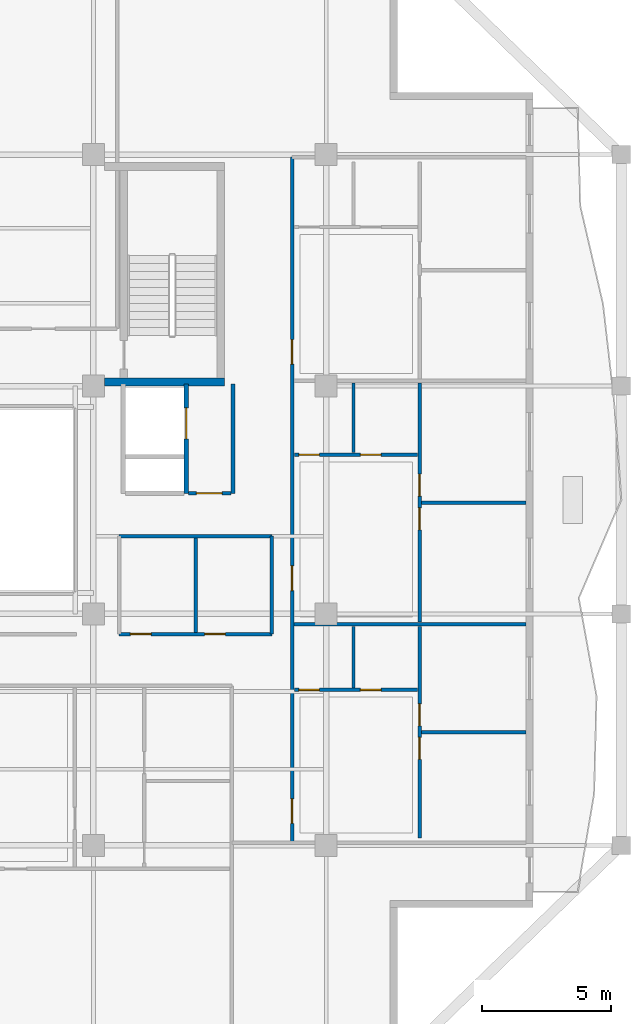
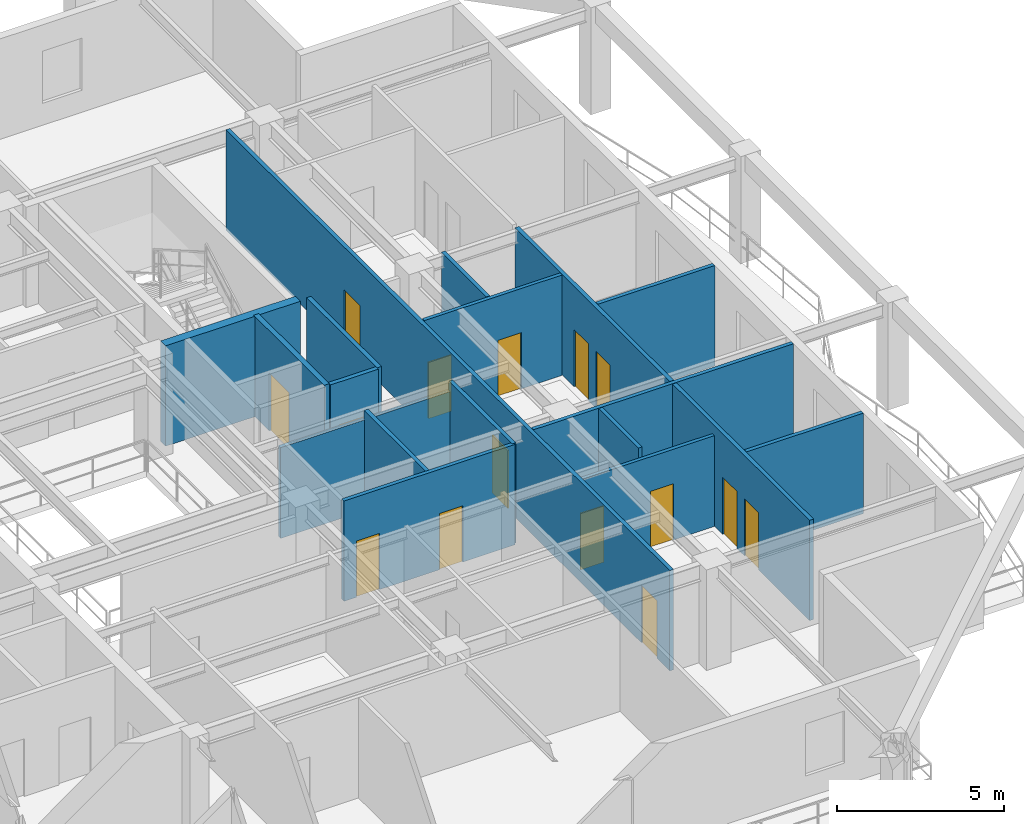
# One storey, part 5 of 13: 18 walls, 15 doors, 15 openings.
"""IFC4 building model written with IfcOpenShell, lengths in metres."""

from ifc_helpers import new_model, si_unit, direction, frame, frame_2d, origin, place, context, subcontext, project, spatial, rectangle, extrude, material, layer, layer_set, type_object, element, fill, save


model = new_model("IFC4")

# Units and contexts
model_context = context("Model", 3, precision=1e-05, world=origin(), true_north=direction((0.0, 1.0)))
body_context = subcontext(model_context, "Body", "Model", "MODEL_VIEW")
ifc_project = project(units=[si_unit("LENGTHUNIT", "METRE"), si_unit("AREAUNIT", "SQUARE_METRE"), si_unit("VOLUMEUNIT", "CUBIC_METRE"), si_unit("PLANEANGLEUNIT", "RADIAN"), si_unit("MASSUNIT", "GRAM", prefix="KILO")], contexts=[model_context])

# Site, building, storey
site_placement = place(None, origin())
site = spatial("IfcSite", under=ifc_project, at=site_placement, CompositionType="ELEMENT")
building_placement = place(site_placement, origin())
building = spatial("IfcBuilding", under=site, at=building_placement, Name="Kundavana Baori Tower", CompositionType="ELEMENT")
storey_placement = place(building_placement, frame((0.0, 0.0, 229.699951171875)))
storey = spatial("IfcBuildingStorey", under=building, at=storey_placement, Name="L56", CompositionType="ELEMENT", Elevation=229.699951171875)

# Wall, openings, doors
ifc_material_1 = material(Name="Acoustic Gypsum Plasterboard on Galvanised Steel Studs", Category="steel")
ifc_layer_1 = layer(ifc_material_1, 0.135009765625, Name="WL-PART-135")
ifc_layer_set_1 = layer_set([ifc_layer_1], Name="Acoustic Gypsum Plasterboard on Galvanised Steel Studs")
wall_type_1 = type_object("IfcWallType", Name="WL-PART-135", PredefinedType="PARTITIONING", material=ifc_layer_set_1)
wall_1_placement = place(storey_placement, frame((41.47998046875, 15.35009765625, 0.0), z_axis=(0.0, 0.0, 1.0), x_axis=(0.0, 1.0, 0.0)))
wall_1 = element("IfcWall", 1, at=wall_1_placement, inside=storey, type_object=wall_type_1, Name="WL-L56-RE", PredefinedType="PARTITIONING", context=body_context, shape_type="SweptSolid", body=[
    extrude(rectangle(XDim=26.5, YDim=0.135009765625, at=frame_2d((13.25, 0.0))), origin(), (0.0, 0.0, 1.0), 3.66015625),
])
opening_1_placement = place(wall_1_placement, frame((0.75, 0.0, 0.0)))
opening_1 = element("IfcOpeningElement", 2, at=opening_1_placement, cuts=wall_1, Name="Opening FD-095", PredefinedType="OPENING", context=body_context, shape_type="SweptSolid", body=[
    extrude(rectangle(XDim=0.949951171875, YDim=2.10009765625, at=frame_2d((0.47509765625, 1.050048828125))), frame((0.0, 0.07763671875, 0.0), z_axis=(0.0, -1.0, 0.0), x_axis=(1.0, 0.0, 0.0)), (0.0, 0.0, 1.0), 0.155029296875),
])
opening_2_placement = place(wall_1_placement, frame((9.75, 0.0, 0.0)))
opening_2 = element("IfcOpeningElement", 3, at=opening_2_placement, cuts=wall_1, Name="Opening FD-095", PredefinedType="OPENING", context=body_context, shape_type="SweptSolid", body=[
    extrude(rectangle(XDim=0.949951171875, YDim=2.10009765625, at=frame_2d((0.47509765625, 1.050048828125))), frame((0.0, 0.07763671875, 0.0), z_axis=(0.0, -1.0, 0.0), x_axis=(1.0, 0.0, 0.0)), (0.0, 0.0, 1.0), 0.155029296875),
])
opening_3_placement = place(wall_1_placement, frame((18.5, 0.0, 0.0)))
opening_3 = element("IfcOpeningElement", 4, at=opening_3_placement, cuts=wall_1, Name="Opening FD-095", PredefinedType="OPENING", context=body_context, shape_type="SweptSolid", body=[
    extrude(rectangle(XDim=0.949951171875, YDim=2.10009765625, at=frame_2d((0.47509765625, 1.050048828125))), frame((0.0, 0.07763671875, 0.0), z_axis=(0.0, -1.0, 0.0), x_axis=(1.0, 0.0, 0.0)), (0.0, 0.0, 1.0), 0.155029296875),
])
ifc_material_2 = material(Name="Engineered Teak Fire-Rated Timber Door Leaf", Category="wood")
door_type_1 = type_object("IfcDoorType", Name="DR-FD60-950", OperationType="NOTDEFINED", PredefinedType="DOOR", material=ifc_material_2)
door_1_placement = place(opening_1_placement, origin())
door_1 = element("IfcDoor", 5, at=door_1_placement, inside=storey, type_object=door_type_1, Name="DR-L56-E1-ENT", OperationType="SINGLE_SWING_LEFT", OverallHeight=2.10009765625, OverallWidth=0.949951171875, PredefinedType="DOOR", context=body_context, shape_type="SweptSolid", body=[
    extrude(rectangle(XDim=0.949951171875, YDim=2.10009765625, at=frame_2d((0.47509765625, 1.050048828125))), frame((0.0, 0.02490234375, 0.0), z_axis=(0.0, -1.0, 0.0), x_axis=(1.0, 0.0, 0.0)), (0.0, 0.0, 1.0), 0.050048828125),
])
fill(opening_1, door_1)
door_2_placement = place(opening_2_placement, origin())
door_2 = element("IfcDoor", 6, at=door_2_placement, inside=storey, type_object=door_type_1, Name="DR-L56-E2-ENT", OperationType="SINGLE_SWING_LEFT", OverallHeight=2.10009765625, OverallWidth=0.949951171875, PredefinedType="DOOR", context=body_context, shape_type="SweptSolid", body=[
    extrude(rectangle(XDim=0.949951171875, YDim=2.10009765625, at=frame_2d((0.47509765625, 1.050048828125))), frame((0.0, 0.02490234375, 0.0), z_axis=(0.0, -1.0, 0.0), x_axis=(1.0, 0.0, 0.0)), (0.0, 0.0, 1.0), 0.050048828125),
])
fill(opening_2, door_2)
door_3_placement = place(opening_3_placement, origin())
door_3 = element("IfcDoor", 7, at=door_3_placement, inside=storey, type_object=door_type_1, Name="DR-L56-E3-ENT", OperationType="SINGLE_SWING_LEFT", OverallHeight=2.10009765625, OverallWidth=0.949951171875, PredefinedType="DOOR", context=body_context, shape_type="SweptSolid", body=[
    extrude(rectangle(XDim=0.949951171875, YDim=2.10009765625, at=frame_2d((0.47509765625, 1.050048828125))), frame((0.0, 0.02490234375, 0.0), z_axis=(0.0, -1.0, 0.0), x_axis=(1.0, 0.0, 0.0)), (0.0, 0.0, 1.0), 0.050048828125),
])
fill(opening_3, door_3)

wall_2_placement = place(storey_placement, frame((46.407958984375, 15.530029296875, 0.0), z_axis=(0.0, 0.0, 1.0), x_axis=(0.0, 1.0, 0.0)))
wall_2 = element("IfcWall", 8, at=wall_2_placement, inside=storey, type_object=wall_type_1, Name="WL-L56-E1-VT", PredefinedType="PARTITIONING", context=body_context, shape_type="SweptSolid", body=[
    extrude(rectangle(XDim=8.18994140625, YDim=0.135009765625, at=frame_2d((4.094970703125, 0.0))), origin(), (0.0, 0.0, 1.0), 3.66015625),
])
opening_4_placement = place(wall_2_placement, frame((3.044921875, 0.0, 0.0)))
opening_4 = element("IfcOpeningElement", 9, at=opening_4_placement, cuts=wall_2, Name="Opening ID-085", PredefinedType="OPENING", context=body_context, shape_type="SweptSolid", body=[
    extrude(rectangle(XDim=0.85009765625, YDim=2.080078125, at=frame_2d((0.425048828125, 1.0400390625))), frame((0.0, 0.07763671875, 0.0), z_axis=(0.0, -1.0, 0.0), x_axis=(1.0, 0.0, 0.0)), (0.0, 0.0, 1.0), 0.155029296875),
])
opening_5_placement = place(wall_2_placement, frame((4.344970703125, 0.0, 0.0)))
opening_5 = element("IfcOpeningElement", 10, at=opening_5_placement, cuts=wall_2, Name="Opening ID-085", PredefinedType="OPENING", context=body_context, shape_type="SweptSolid", body=[
    extrude(rectangle(XDim=0.85009765625, YDim=2.080078125, at=frame_2d((0.425048828125, 1.0400390625))), frame((0.0, 0.07763671875, 0.0), z_axis=(0.0, -1.0, 0.0), x_axis=(1.0, 0.0, 0.0)), (0.0, 0.0, 1.0), 0.155029296875),
])
ifc_material_3 = material(Name="Engineered Teak Solid-Core Timber Veneer", Category="wood")
door_type_2 = type_object("IfcDoorType", Name="DR-INT-850", OperationType="NOTDEFINED", PredefinedType="DOOR", material=ifc_material_3)
door_4_placement = place(opening_4_placement, origin())
door_4 = element("IfcDoor", 11, at=door_4_placement, inside=storey, type_object=door_type_2, Name="DR-L56-E1-B1", OperationType="SINGLE_SWING_LEFT", OverallHeight=2.080078125, OverallWidth=0.85009765625, PredefinedType="DOOR", context=body_context, shape_type="SweptSolid", body=[
    extrude(rectangle(XDim=0.85009765625, YDim=2.080078125, at=frame_2d((0.425048828125, 1.0400390625))), frame((0.0, 0.02490234375, 0.0), z_axis=(0.0, -1.0, 0.0), x_axis=(1.0, 0.0, 0.0)), (0.0, 0.0, 1.0), 0.050048828125),
])
fill(opening_4, door_4)
door_5_placement = place(opening_5_placement, origin())
door_5 = element("IfcDoor", 12, at=door_5_placement, inside=storey, type_object=door_type_2, Name="DR-L56-E1-B2", OperationType="SINGLE_SWING_RIGHT", OverallHeight=2.080078125, OverallWidth=0.85009765625, PredefinedType="DOOR", context=body_context, shape_type="SweptSolid", body=[
    extrude(rectangle(XDim=0.85009765625, YDim=2.080078125, at=frame_2d((0.425048828125, 1.0400390625))), frame((0.0, 0.02490234375, 0.0), z_axis=(0.0, -1.0, 0.0), x_axis=(1.0, 0.0, 0.0)), (0.0, 0.0, 1.0), 0.050048828125),
])
fill(opening_5, door_5)

# Walls
wall_3_placement = place(storey_placement, frame((46.488037109375, 19.625, 0.0), z_axis=(0.0, 0.0, 1.0), x_axis=(1.0, 0.0, 0.0)))
element("IfcWall", 13, at=wall_3_placement, inside=storey, type_object=wall_type_1, Name="WL-L56-E1-BDH", PredefinedType="PARTITIONING", context=body_context, shape_type="SweptSolid", body=[
    extrude(rectangle(XDim=4.031982421875, YDim=0.135009765625, at=frame_2d((2.01611328125, 0.0))), origin(), (0.0, 0.0, 1.0), 3.66015625),
])
wall_4_placement = place(storey_placement, frame((41.56005859375, 23.800048828125, 0.0), z_axis=(0.0, 0.0, 1.0), x_axis=(1.0, 0.0, 0.0)))
element("IfcWall", 14, at=wall_4_placement, inside=storey, type_object=wall_type_1, Name="WL-L56-RED1", PredefinedType="PARTITIONING", context=body_context, shape_type="SweptSolid", body=[
    extrude(rectangle(XDim=8.9599609375, YDim=0.135009765625, at=frame_2d((4.47998046875, 0.0))), origin(), (0.0, 0.0, 1.0), 3.66015625),
])

# Wall, openings, doors
wall_5_placement = place(storey_placement, frame((46.407958984375, 23.8798828125, 0.0), z_axis=(0.0, 0.0, 1.0), x_axis=(0.0, 1.0, 0.0)))
wall_5 = element("IfcWall", 15, at=wall_5_placement, inside=storey, type_object=wall_type_1, Name="WL-L56-E2-VT", PredefinedType="PARTITIONING", context=body_context, shape_type="SweptSolid", body=[
    extrude(rectangle(XDim=9.240234375, YDim=0.135009765625, at=frame_2d((4.6201171875, 0.0))), origin(), (0.0, 0.0, 1.0), 3.66015625),
])
opening_6_placement = place(wall_5_placement, frame((3.570068359375, 0.0, 0.0)))
opening_6 = element("IfcOpeningElement", 16, at=opening_6_placement, cuts=wall_5, Name="Opening ID-085", PredefinedType="OPENING", context=body_context, shape_type="SweptSolid", body=[
    extrude(rectangle(XDim=0.85009765625, YDim=2.080078125, at=frame_2d((0.425048828125, 1.0400390625))), frame((0.0, 0.07763671875, 0.0), z_axis=(0.0, -1.0, 0.0), x_axis=(1.0, 0.0, 0.0)), (0.0, 0.0, 1.0), 0.155029296875),
])
opening_7_placement = place(wall_5_placement, frame((4.8701171875, 0.0, 0.0)))
opening_7 = element("IfcOpeningElement", 17, at=opening_7_placement, cuts=wall_5, Name="Opening ID-085", PredefinedType="OPENING", context=body_context, shape_type="SweptSolid", body=[
    extrude(rectangle(XDim=0.85009765625, YDim=2.080078125, at=frame_2d((0.425048828125, 1.0400390625))), frame((0.0, 0.07763671875, 0.0), z_axis=(0.0, -1.0, 0.0), x_axis=(1.0, 0.0, 0.0)), (0.0, 0.0, 1.0), 0.155029296875),
])
door_6_placement = place(opening_6_placement, origin())
door_6 = element("IfcDoor", 18, at=door_6_placement, inside=storey, type_object=door_type_2, Name="DR-L56-E2-B1", OperationType="SINGLE_SWING_LEFT", OverallHeight=2.080078125, OverallWidth=0.85009765625, PredefinedType="DOOR", context=body_context, shape_type="SweptSolid", body=[
    extrude(rectangle(XDim=0.85009765625, YDim=2.080078125, at=frame_2d((0.425048828125, 1.0400390625))), frame((0.0, 0.02490234375, 0.0), z_axis=(0.0, -1.0, 0.0), x_axis=(1.0, 0.0, 0.0)), (0.0, 0.0, 1.0), 0.050048828125),
])
fill(opening_6, door_6)
door_7_placement = place(opening_7_placement, origin())
door_7 = element("IfcDoor", 19, at=door_7_placement, inside=storey, type_object=door_type_2, Name="DR-L56-E2-B2", OperationType="SINGLE_SWING_RIGHT", OverallHeight=2.080078125, OverallWidth=0.85009765625, PredefinedType="DOOR", context=body_context, shape_type="SweptSolid", body=[
    extrude(rectangle(XDim=0.85009765625, YDim=2.080078125, at=frame_2d((0.425048828125, 1.0400390625))), frame((0.0, 0.02490234375, 0.0), z_axis=(0.0, -1.0, 0.0), x_axis=(1.0, 0.0, 0.0)), (0.0, 0.0, 1.0), 0.050048828125),
])
fill(opening_7, door_7)

# Wall
wall_6_placement = place(storey_placement, frame((46.488037109375, 28.5, 0.0), z_axis=(0.0, 0.0, 1.0), x_axis=(1.0, 0.0, 0.0)))
element("IfcWall", 20, at=wall_6_placement, inside=storey, type_object=wall_type_1, Name="WL-L56-E2-BDH", PredefinedType="PARTITIONING", context=body_context, shape_type="SweptSolid", body=[
    extrude(rectangle(XDim=4.031982421875, YDim=0.135009765625, at=frame_2d((2.01611328125, 0.0))), origin(), (0.0, 0.0, 1.0), 3.66015625),
])

# Wall, openings, doors
wall_7_placement = place(storey_placement, frame((34.800048828125, 23.419921875, 0.0), z_axis=(0.0, 0.0, 1.0), x_axis=(1.0, 0.0, 0.0)))
wall_7 = element("IfcWall", 21, at=wall_7_placement, inside=storey, type_object=wall_type_1, Name="WL-L56-ALS", PredefinedType="PARTITIONING", context=body_context, shape_type="SweptSolid", body=[
    extrude(rectangle(XDim=5.89990234375, YDim=0.135009765625, at=frame_2d((2.949951171875, 0.0))), origin(), (0.0, 0.0, 1.0), 3.66015625),
])
opening_8_placement = place(wall_7_placement, frame((0.429931640625, 0.0, 0.0)))
opening_8 = element("IfcOpeningElement", 22, at=opening_8_placement, cuts=wall_7, Name="Opening WD-080", PredefinedType="OPENING", context=body_context, shape_type="SweptSolid", body=[
    extrude(rectangle(XDim=0.800048828125, YDim=2.050048828125, at=frame_2d((0.39990234375, 1.02490234375))), frame((0.0, 0.07763671875, 0.0), z_axis=(0.0, -1.0, 0.0), x_axis=(1.0, 0.0, 0.0)), (0.0, 0.0, 1.0), 0.155029296875),
])
opening_9_placement = place(wall_7_placement, frame((3.300048828125, 0.0, 0.0)))
opening_9 = element("IfcOpeningElement", 23, at=opening_9_placement, cuts=wall_7, Name="Opening WD-080", PredefinedType="OPENING", context=body_context, shape_type="SweptSolid", body=[
    extrude(rectangle(XDim=0.800048828125, YDim=2.050048828125, at=frame_2d((0.39990234375, 1.02490234375))), frame((0.0, 0.07763671875, 0.0), z_axis=(0.0, -1.0, 0.0), x_axis=(1.0, 0.0, 0.0)), (0.0, 0.0, 1.0), 0.155029296875),
])
ifc_material_4 = material(Name="Engineered Teak Solid-Core Timber Veneer", Category="wood")
door_type_3 = type_object("IfcDoorType", Name="DR-WET-800", OperationType="NOTDEFINED", PredefinedType="DOOR", material=ifc_material_4)
door_8_placement = place(opening_8_placement, origin())
door_8 = element("IfcDoor", 24, at=door_8_placement, inside=storey, type_object=door_type_3, Name="DR-L56-RALC1", OperationType="SINGLE_SWING_LEFT", OverallHeight=2.050048828125, OverallWidth=0.800048828125, PredefinedType="DOOR", context=body_context, shape_type="SweptSolid", body=[
    extrude(rectangle(XDim=0.800048828125, YDim=2.050048828125, at=frame_2d((0.39990234375, 1.02490234375))), frame((0.0, 0.02490234375, 0.0), z_axis=(0.0, -1.0, 0.0), x_axis=(1.0, 0.0, 0.0)), (0.0, 0.0, 1.0), 0.050048828125),
])
fill(opening_8, door_8)
door_9_placement = place(opening_9_placement, origin())
door_9 = element("IfcDoor", 25, at=door_9_placement, inside=storey, type_object=door_type_3, Name="DR-L56-RALC2", OperationType="SINGLE_SWING_LEFT", OverallHeight=2.050048828125, OverallWidth=0.800048828125, PredefinedType="DOOR", context=body_context, shape_type="SweptSolid", body=[
    extrude(rectangle(XDim=0.800048828125, YDim=2.050048828125, at=frame_2d((0.39990234375, 1.02490234375))), frame((0.0, 0.02490234375, 0.0), z_axis=(0.0, -1.0, 0.0), x_axis=(1.0, 0.0, 0.0)), (0.0, 0.0, 1.0), 0.050048828125),
])
fill(opening_9, door_9)

# Walls
wall_8_placement = place(storey_placement, frame((34.800048828125, 27.199951171875, 0.0), z_axis=(0.0, 0.0, 1.0), x_axis=(1.0, 0.0, 0.0)))
element("IfcWall", 26, at=wall_8_placement, inside=storey, type_object=wall_type_1, Name="WL-L56-ALN", PredefinedType="PARTITIONING", context=body_context, shape_type="SweptSolid", body=[
    extrude(rectangle(XDim=5.89990234375, YDim=0.135009765625, at=frame_2d((2.949951171875, 0.0))), origin(), (0.0, 0.0, 1.0), 3.31005859375),
])
wall_9_placement = place(storey_placement, frame((40.699951171875, 23.419921875, 0.0), z_axis=(0.0, 0.0, 1.0), x_axis=(0.0, 1.0, 0.0)))
element("IfcWall", 27, at=wall_9_placement, inside=storey, type_object=wall_type_1, Name="WL-L56-ALE", PredefinedType="PARTITIONING", context=body_context, shape_type="SweptSolid", body=[
    extrude(rectangle(XDim=3.780029296875, YDim=0.135009765625, at=frame_2d((1.89013671875, 0.0))), origin(), (0.0, 0.0, 1.0), 3.66015625),
])
wall_10_placement = place(storey_placement, frame((37.75, 23.47998046875, 0.0), z_axis=(0.0, 0.0, 1.0), x_axis=(0.0, 1.0, 0.0)))
element("IfcWall", 28, at=wall_10_placement, inside=storey, type_object=wall_type_1, Name="WL-L56-ALD1", PredefinedType="PARTITIONING", context=body_context, shape_type="SweptSolid", body=[
    extrude(rectangle(XDim=3.659912109375, YDim=0.135009765625, at=frame_2d((1.830078125, 0.0))), origin(), (0.0, 0.0, 1.0), 3.66015625),
])
ifc_material_5 = material(Name="Fire-Rated Gypsum Drywall on Galvanised Steel Studs", Category="steel")
ifc_layer_2 = layer(ifc_material_5, 0.14990234375, Name="WL-PART-150")
ifc_layer_set_2 = layer_set([ifc_layer_2], Name="Fire-Rated Gypsum Drywall on Galvanised Steel Studs")
wall_type_2 = type_object("IfcWallType", Name="WL-PART-150", PredefinedType="PARTITIONING", material=ifc_layer_set_2)
wall_11_placement = place(storey_placement, frame((39.199951171875, 28.860107421875, 0.0), z_axis=(0.0, 0.0, 1.0), x_axis=(0.0, 1.0, 0.0)))
element("IfcWall", 29, at=wall_11_placement, inside=storey, type_object=wall_type_2, Name="WL-L56-SVLOB-E", PredefinedType="PARTITIONING", context=body_context, shape_type="SweptSolid", body=[
    extrude(rectangle(XDim=4.219970703125, YDim=0.14990234375, at=frame_2d((2.10986328125, 0.0))), origin(), (0.0, 0.0, 1.0), 3.66015625),
])

# Wall, opening, door
wall_12_placement = place(storey_placement, frame((37.47998046875, 28.860107421875, 0.0), z_axis=(0.0, 0.0, 1.0), x_axis=(1.0, 0.0, 0.0)))
wall_12 = element("IfcWall", 30, at=wall_12_placement, inside=storey, type_object=wall_type_2, Name="WL-L56-SVLOB-S", PredefinedType="PARTITIONING", context=body_context, shape_type="SweptSolid", body=[
    extrude(rectangle(XDim=1.64013671875, YDim=0.14990234375, at=frame_2d((0.820068359375, 0.0))), origin(), (0.0, 0.0, 1.0), 3.66015625),
])
opening_10_placement = place(wall_12_placement, frame((0.300048828125, 0.0, 0.0)))
opening_10 = element("IfcOpeningElement", 31, at=opening_10_placement, cuts=wall_12, Name="Opening FD-100", PredefinedType="OPENING", context=body_context, shape_type="SweptSolid", body=[
    extrude(rectangle(XDim=1.0, YDim=2.10009765625, at=frame_2d((0.5, 1.050048828125))), frame((0.0, 0.0849609375, 0.0), z_axis=(0.0, -1.0, 0.0), x_axis=(1.0, 0.0, 0.0)), (0.0, 0.0, 1.0), 0.169921875),
])
ifc_material_6 = material(Name="Engineered Teak Fire-Rated Timber Door Leaf", Category="wood")
door_type_4 = type_object("IfcDoorType", Name="DR-FD60-1000", OperationType="NOTDEFINED", PredefinedType="DOOR", material=ifc_material_6)
door_10_placement = place(opening_10_placement, origin())
door_10 = element("IfcDoor", 32, at=door_10_placement, inside=storey, type_object=door_type_4, Name="DR-L56-SVLOB-OUT", OperationType="SINGLE_SWING_LEFT", OverallHeight=2.10009765625, OverallWidth=1.0, PredefinedType="DOOR", context=body_context, shape_type="SweptSolid", body=[
    extrude(rectangle(XDim=1.0, YDim=2.10009765625, at=frame_2d((0.5, 1.050048828125))), frame((0.0, 0.02490234375, 0.0), z_axis=(0.0, -1.0, 0.0), x_axis=(1.0, 0.0, 0.0)), (0.0, 0.0, 1.0), 0.050048828125),
])
fill(opening_10, door_10)

ifc_material_7 = material(Name="Autoclaved Aerated Concrete Blockwork Masonry", Category="masonry")
ifc_layer_3 = layer(ifc_material_7, 0.179931640625, Name="WL-SHAFT-180")
ifc_layer_set_3 = layer_set([ifc_layer_3], Name="Autoclaved Aerated Concrete Blockwork Masonry")
wall_type_3 = type_object("IfcWallType", Name="WL-SHAFT-180", PredefinedType="SOLIDWALL", material=ifc_layer_set_3)
wall_13_placement = place(storey_placement, frame((37.389892578125, 28.860107421875, 0.0), z_axis=(0.0, 0.0, 1.0), x_axis=(0.0, 1.0, 0.0)))
wall_13 = element("IfcWall", 33, at=wall_13_placement, inside=storey, type_object=wall_type_3, Name="WL-L56-SVL-E", PredefinedType="SOLIDWALL", context=body_context, shape_type="SweptSolid", body=[
    extrude(rectangle(XDim=4.219970703125, YDim=0.179931640625, at=frame_2d((2.10986328125, 0.0))), origin(), (0.0, 0.0, 1.0), 3.66015625),
])
opening_11_placement = place(wall_13_placement, frame((2.10009765625, 0.0, 0.0)))
opening_11 = element("IfcOpeningElement", 34, at=opening_11_placement, cuts=wall_13, Name="Opening LD-120", PredefinedType="OPENING", context=body_context, shape_type="SweptSolid", body=[
    extrude(rectangle(XDim=1.199951171875, YDim=2.1201171875, at=frame_2d((0.60009765625, 1.06005859375))), frame((0.0, 0.10009765625, 0.0), z_axis=(0.0, -1.0, 0.0), x_axis=(1.0, 0.0, 0.0)), (0.0, 0.0, 1.0), 0.199951171875),
])
ifc_material_8 = material(Name="Galvanised Steel Fire-Rated Door Leaf", Category="steel")
door_type_5 = type_object("IfcDoorType", Name="DR-SLIDE-LD1200", OperationType="NOTDEFINED", PredefinedType="DOOR", material=ifc_material_8)
door_11_placement = place(opening_11_placement, frame((1.199951171875, 0.0, 0.0), z_axis=(0.0, 0.0, 1.0), x_axis=(-1.0, 0.0, 0.0)))
door_11 = element("IfcDoor", 35, at=door_11_placement, inside=storey, type_object=door_type_5, Name="DR-L56-LD-SVL1", OperationType="DOUBLE_DOOR_SLIDING", OverallHeight=2.1201171875, OverallWidth=1.199951171875, PredefinedType="DOOR", context=body_context, shape_type="SweptSolid", body=[
    extrude(rectangle(XDim=1.199951171875, YDim=2.1201171875, at=frame_2d((0.60009765625, 1.06005859375))), frame((0.0, 0.02490234375, 0.0), z_axis=(0.0, -1.0, 0.0), x_axis=(1.0, 0.0, 0.0)), (0.0, 0.0, 1.0), 0.050048828125),
])
fill(opening_11, door_11)

# Wall
ifc_material_9 = material(Name="Concrete C50/60", Category="concrete")
ifc_layer_4 = layer(ifc_material_9, 0.300048828125, Name="WL-ST3-300")
ifc_layer_set_4 = layer_set([ifc_layer_4], Name="Concrete C50/60")
wall_type_4 = type_object("IfcWallType", Name="WL-ST3-300", PredefinedType="SHEAR", material=ifc_layer_set_4)
wall_14_placement = place(storey_placement, frame((34.22509765625, 33.159912109375, 0.0), z_axis=(0.0, 0.0, 1.0), x_axis=(1.0, 0.0, 0.0)))
element("IfcWall", 36, at=wall_14_placement, inside=storey, type_object=wall_type_4, Name="L56 Stair ST3 South Shear Wall", PredefinedType="SHEAR", context=body_context, shape_type="SweptSolid", body=[
    extrude(rectangle(XDim=4.64501953125, YDim=0.300048828125, at=frame_2d((2.322509765625, 0.0))), origin(), (0.0, 0.0, 1.0), 3.66015625),
])

# Wall, openings, doors
ifc_material_10 = material(Name="Autoclaved Aerated Concrete Blockwork Masonry", Category="masonry")
ifc_layer_5 = layer(ifc_material_10, 0.125, Name="WL-WET-120")
ifc_layer_set_5 = layer_set([ifc_layer_5], Name="Autoclaved Aerated Concrete Blockwork Masonry")
wall_type_5 = type_object("IfcWallType", Name="WL-WET-120", PredefinedType="PLUMBINGWALL", material=ifc_layer_set_5)
wall_15_placement = place(storey_placement, frame((41.580078125, 21.262939453125, 0.0), z_axis=(0.0, 0.0, 1.0), x_axis=(1.0, 0.0, 0.0)))
wall_15 = element("IfcWall", 37, at=wall_15_placement, inside=storey, type_object=wall_type_5, Name="WL-L56-E1-KH", PredefinedType="PLUMBINGWALL", context=body_context, shape_type="SweptSolid", body=[
    extrude(rectangle(XDim=4.747802734375, YDim=0.125, at=frame_2d((2.3740234375, 0.0))), origin(), (0.0, 0.0, 1.0), 3.31005859375),
])
opening_12_placement = place(wall_15_placement, frame((0.159912109375, 0.0, 0.0)))
opening_12 = element("IfcOpeningElement", 38, at=opening_12_placement, cuts=wall_15, Name="Opening WD-080", PredefinedType="OPENING", context=body_context, shape_type="SweptSolid", body=[
    extrude(rectangle(XDim=0.800048828125, YDim=2.050048828125, at=frame_2d((0.39990234375, 1.02490234375))), frame((0.0, 0.072509765625, 0.0), z_axis=(0.0, -1.0, 0.0), x_axis=(1.0, 0.0, 0.0)), (0.0, 0.0, 1.0), 0.14501953125),
])
opening_13_placement = place(wall_15_placement, frame((2.5390625, 0.0, 0.0)))
opening_13 = element("IfcOpeningElement", 39, at=opening_13_placement, cuts=wall_15, Name="Opening WD-080", PredefinedType="OPENING", context=body_context, shape_type="SweptSolid", body=[
    extrude(rectangle(XDim=0.800048828125, YDim=2.050048828125, at=frame_2d((0.39990234375, 1.02490234375))), frame((0.0, 0.072509765625, 0.0), z_axis=(0.0, -1.0, 0.0), x_axis=(1.0, 0.0, 0.0)), (0.0, 0.0, 1.0), 0.14501953125),
])
door_12_placement = place(opening_12_placement, origin())
door_12 = element("IfcDoor", 40, at=door_12_placement, inside=storey, type_object=door_type_3, Name="DR-L56-E1-BT", OperationType="SINGLE_SWING_LEFT", OverallHeight=2.050048828125, OverallWidth=0.800048828125, PredefinedType="DOOR", context=body_context, shape_type="SweptSolid", body=[
    extrude(rectangle(XDim=0.800048828125, YDim=2.050048828125, at=frame_2d((0.39990234375, 1.02490234375))), frame((0.0, 0.02490234375, 0.0), z_axis=(0.0, -1.0, 0.0), x_axis=(1.0, 0.0, 0.0)), (0.0, 0.0, 1.0), 0.050048828125),
])
fill(opening_12, door_12)
door_13_placement = place(opening_13_placement, origin())
door_13 = element("IfcDoor", 41, at=door_13_placement, inside=storey, type_object=door_type_3, Name="DR-L56-E1-KT", OperationType="SINGLE_SWING_RIGHT", OverallHeight=2.050048828125, OverallWidth=0.800048828125, PredefinedType="DOOR", context=body_context, shape_type="SweptSolid", body=[
    extrude(rectangle(XDim=0.800048828125, YDim=2.050048828125, at=frame_2d((0.39990234375, 1.02490234375))), frame((0.0, 0.02490234375, 0.0), z_axis=(0.0, -1.0, 0.0), x_axis=(1.0, 0.0, 0.0)), (0.0, 0.0, 1.0), 0.050048828125),
])
fill(opening_13, door_13)

# Wall
wall_16_placement = place(storey_placement, frame((43.85888671875, 21.343017578125, 0.0), z_axis=(0.0, 0.0, 1.0), x_axis=(0.0, 1.0, 0.0)))
element("IfcWall", 42, at=wall_16_placement, inside=storey, type_object=wall_type_5, Name="WL-L56-E1-BV", PredefinedType="PLUMBINGWALL", context=body_context, shape_type="SweptSolid", body=[
    extrude(rectangle(XDim=2.376953125, YDim=0.125, at=frame_2d((1.1884765625, 0.0))), origin(), (0.0, 0.0, 1.0), 3.66015625),
])

# Wall, openings, doors
wall_17_placement = place(storey_placement, frame((41.580078125, 30.347900390625, 0.0), z_axis=(0.0, 0.0, 1.0), x_axis=(1.0, 0.0, 0.0)))
wall_17 = element("IfcWall", 43, at=wall_17_placement, inside=storey, type_object=wall_type_5, Name="WL-L56-E2-KH", PredefinedType="PLUMBINGWALL", context=body_context, shape_type="SweptSolid", body=[
    extrude(rectangle(XDim=4.747802734375, YDim=0.125, at=frame_2d((2.3740234375, 0.0))), origin(), (0.0, 0.0, 1.0), 3.66015625),
])
opening_14_placement = place(wall_17_placement, frame((0.159912109375, 0.0, 0.0)))
opening_14 = element("IfcOpeningElement", 44, at=opening_14_placement, cuts=wall_17, Name="Opening WD-080", PredefinedType="OPENING", context=body_context, shape_type="SweptSolid", body=[
    extrude(rectangle(XDim=0.800048828125, YDim=2.050048828125, at=frame_2d((0.39990234375, 1.02490234375))), frame((0.0, 0.072509765625, 0.0), z_axis=(0.0, -1.0, 0.0), x_axis=(1.0, 0.0, 0.0)), (0.0, 0.0, 1.0), 0.14501953125),
])
opening_15_placement = place(wall_17_placement, frame((2.5390625, 0.0, 0.0)))
opening_15 = element("IfcOpeningElement", 45, at=opening_15_placement, cuts=wall_17, Name="Opening WD-080", PredefinedType="OPENING", context=body_context, shape_type="SweptSolid", body=[
    extrude(rectangle(XDim=0.800048828125, YDim=2.050048828125, at=frame_2d((0.39990234375, 1.02490234375))), frame((0.0, 0.072509765625, 0.0), z_axis=(0.0, -1.0, 0.0), x_axis=(1.0, 0.0, 0.0)), (0.0, 0.0, 1.0), 0.14501953125),
])
door_14_placement = place(opening_14_placement, origin())
door_14 = element("IfcDoor", 46, at=door_14_placement, inside=storey, type_object=door_type_3, Name="DR-L56-E2-BT", OperationType="SINGLE_SWING_LEFT", OverallHeight=2.050048828125, OverallWidth=0.800048828125, PredefinedType="DOOR", context=body_context, shape_type="SweptSolid", body=[
    extrude(rectangle(XDim=0.800048828125, YDim=2.050048828125, at=frame_2d((0.39990234375, 1.02490234375))), frame((0.0, 0.02490234375, 0.0), z_axis=(0.0, -1.0, 0.0), x_axis=(1.0, 0.0, 0.0)), (0.0, 0.0, 1.0), 0.050048828125),
])
fill(opening_14, door_14)
door_15_placement = place(opening_15_placement, origin())
door_15 = element("IfcDoor", 47, at=door_15_placement, inside=storey, type_object=door_type_3, Name="DR-L56-E2-KT", OperationType="SINGLE_SWING_RIGHT", OverallHeight=2.050048828125, OverallWidth=0.800048828125, PredefinedType="DOOR", context=body_context, shape_type="SweptSolid", body=[
    extrude(rectangle(XDim=0.800048828125, YDim=2.050048828125, at=frame_2d((0.39990234375, 1.02490234375))), frame((0.0, 0.02490234375, 0.0), z_axis=(0.0, -1.0, 0.0), x_axis=(1.0, 0.0, 0.0)), (0.0, 0.0, 1.0), 0.050048828125),
])
fill(opening_15, door_15)

# Wall
wall_18_placement = place(storey_placement, frame((43.85888671875, 30.427978515625, 0.0), z_axis=(0.0, 0.0, 1.0), x_axis=(0.0, 1.0, 0.0)))
element("IfcWall", 48, at=wall_18_placement, inside=storey, type_object=wall_type_5, Name="WL-L56-E2-BV", PredefinedType="PLUMBINGWALL", context=body_context, shape_type="SweptSolid", body=[
    extrude(rectangle(XDim=2.692138671875, YDim=0.125, at=frame_2d((1.34619140625, 0.0))), origin(), (0.0, 0.0, 1.0), 3.66015625),
])

save(model, "model.ifc")
